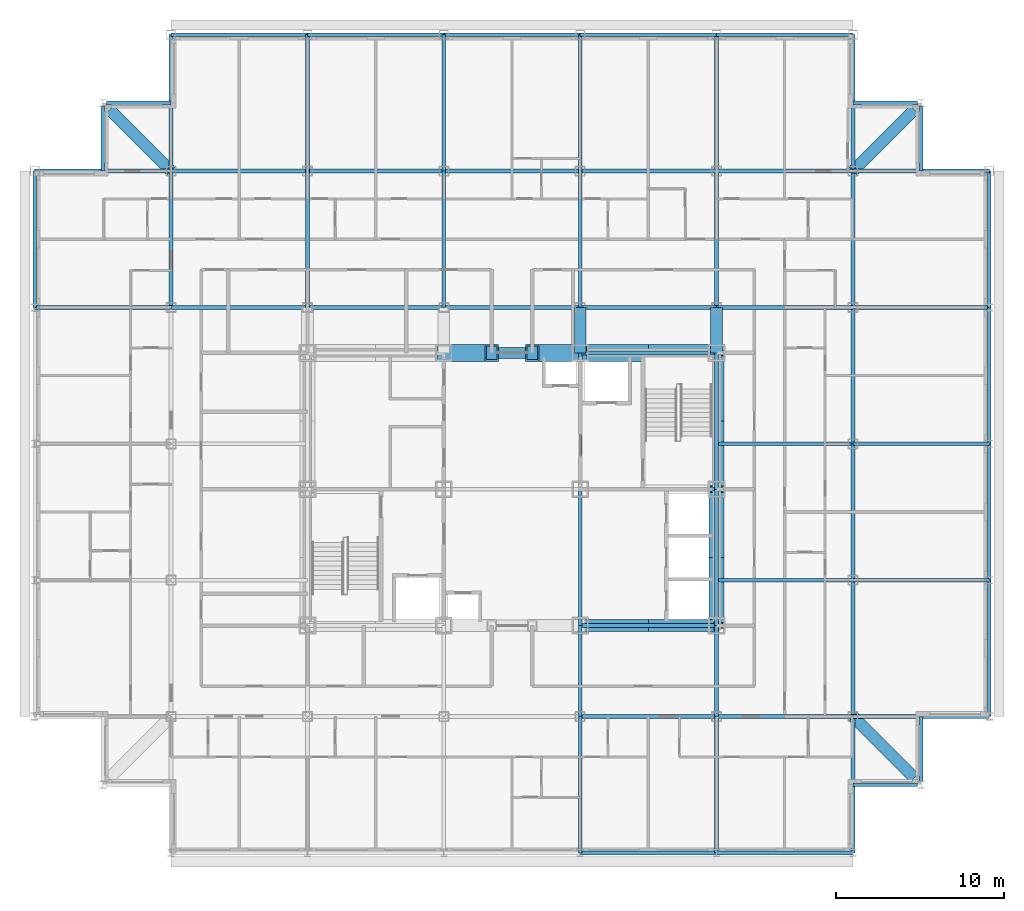
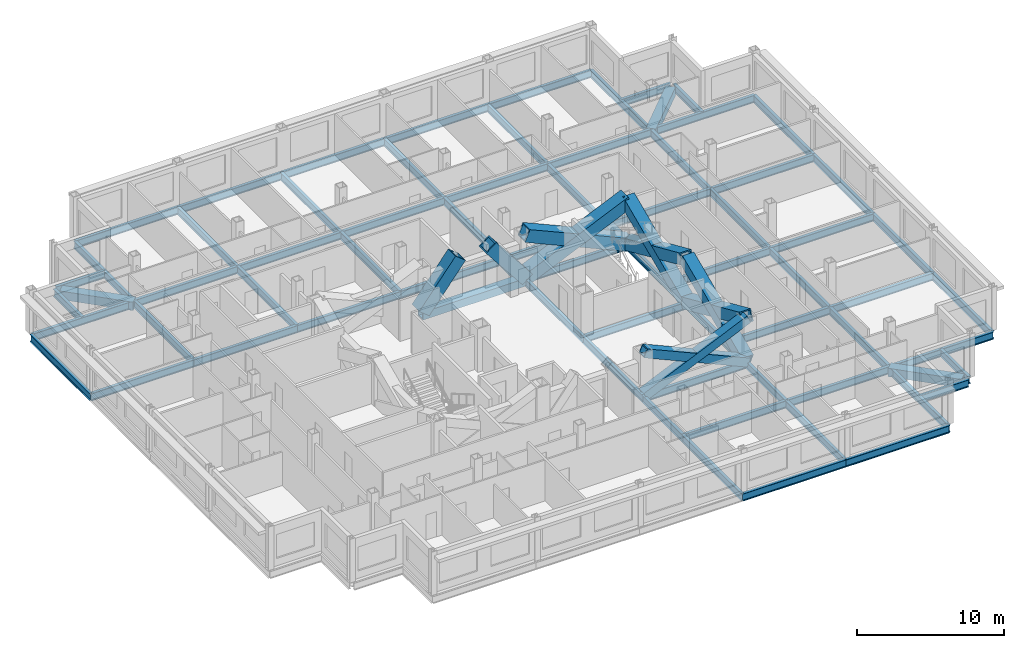
# One storey, part 2 of 12: 72 beams, 10 members.
"""IFC4 building model written with IfcOpenShell, lengths in metres."""

from ifc_helpers import new_model, si_unit, direction, frame, origin, origin_2d, place, context, subcontext, project, spatial, hollow_rectangle, i_section, extrude, material, material_profile, profile_set, type_object, element, save


model = new_model("IFC4")

# Units and contexts
model_context = context("Model", 3, precision=1e-05, world=origin(), true_north=direction((0.0, 1.0)))
body_context = subcontext(model_context, "Body", "Model", "MODEL_VIEW")
ifc_project = project(units=[si_unit("LENGTHUNIT", "METRE"), si_unit("AREAUNIT", "SQUARE_METRE"), si_unit("VOLUMEUNIT", "CUBIC_METRE"), si_unit("PLANEANGLEUNIT", "RADIAN"), si_unit("MASSUNIT", "GRAM", prefix="KILO")], contexts=[model_context])

# Site, building, storey
site_placement = place(None, origin())
site = spatial("IfcSite", under=ifc_project, at=site_placement, CompositionType="ELEMENT")
building_placement = place(site_placement, origin())
building = spatial("IfcBuilding", under=site, at=building_placement, Name="Kopane Lantern Tower", CompositionType="ELEMENT")
storey_placement = place(building_placement, frame((0.0, 0.0, 206.39990234375)))
storey = spatial("IfcBuildingStorey", under=building, at=storey_placement, Name="L53", CompositionType="ELEMENT", Elevation=206.39990234375)

# Members
ifc_material_1 = material(Name="Steel S355JR", Category="steel")
ifc_material_profile_1 = material_profile(ifc_material_1, hollow_rectangle(XDim=1.0, YDim=1.0, WallThickness=0.10009765625, at=origin_2d()), Name="BOX 1000x1000x100")
ifc_profile_set_1 = profile_set([ifc_material_profile_1], Name="Steel S355JR")
member_type_1 = type_object("IfcMemberType", Name="BRACE BOX 1000x1000x100", PredefinedType="BRACE", material=ifc_profile_set_1)
for number, where, z_axis, x_axis, name in (
    (1, (24.300048828125, 40.5, -0.2099609375), (0.620672981644, 0.0, 0.784069544018), (0.0, 1.0, 0.0), "Core brace L53"),
    (2, (32.39990234375, 40.5, -0.2099609375), (-0.620672981644, 0.0, 0.784069544018), (0.0, -1.0, 0.0), "Core brace L53"),
):
    element("IfcMember", number, at=place(storey_placement, frame(where, z_axis=z_axis, x_axis=x_axis)), inside=storey, type_object=member_type_1, Name=name, PredefinedType="BRACE", context=body_context, shape_type="SweptSolid", body=[
        extrude(hollow_rectangle(XDim=1.0, YDim=1.0, WallThickness=0.10009765625, at=origin_2d()), origin(), (0.0, 0.0, 1.0), 4.591552734375),
    ])
for number, where, z_axis, x_axis, name in (
    (3, (32.39990234375, 40.5, -0.2099609375), (0.913809277049, 0.0, 0.40614357705), (0.0, 1.0, 0.0), "Core brace L53"),
    (4, (40.5, 40.5, -0.2099609375), (-0.913809277049, 0.0, 0.40614357705), (0.0, -1.0, 0.0), "Core brace L53"),
):
    element("IfcMember", number, at=place(storey_placement, frame(where, z_axis=z_axis, x_axis=x_axis)), inside=storey, type_object=member_type_1, Name=name, PredefinedType="BRACE", context=body_context, shape_type="SweptSolid", body=[
        extrude(hollow_rectangle(XDim=1.0, YDim=1.0, WallThickness=0.10009765625, at=origin_2d()), origin(), (0.0, 0.0, 1.0), 8.864013671875),
    ])
ifc_material_2 = material(Name="Steel S355JR", Category="steel")
ifc_material_profile_2 = material_profile(ifc_material_2, hollow_rectangle(XDim=0.699951171875, YDim=0.699951171875, WallThickness=0.06005859375, at=origin_2d()), Name="BOX 700x700x60")
ifc_profile_set_2 = profile_set([ifc_material_profile_2], Name="Steel S355JR")
member_type_2 = type_object("IfcMemberType", Name="BRACE BOX 700x700x60", PredefinedType="BRACE", material=ifc_profile_set_2)
for number, where, z_axis, x_axis, name in (
    (5, (32.39990234375, 24.300048828125, -0.2099609375), (0.913809277049, 0.0, 0.40614357705), (0.0, 1.0, 0.0), "Core brace L53"),
    (6, (40.5, 24.300048828125, -0.2099609375), (-0.913809277049, 0.0, 0.40614357705), (0.0, -1.0, 0.0), "Core brace L53"),
):
    element("IfcMember", number, at=place(storey_placement, frame(where, z_axis=z_axis, x_axis=x_axis)), inside=storey, type_object=member_type_2, Name=name, PredefinedType="BRACE", context=body_context, shape_type="SweptSolid", body=[
        extrude(hollow_rectangle(XDim=0.699951171875, YDim=0.699951171875, WallThickness=0.06005859375, at=origin_2d()), origin(), (0.0, 0.0, 1.0), 8.864013671875),
    ])
ifc_material_3 = material(Name="Steel S355JR", Category="steel")
ifc_material_profile_3 = material_profile(ifc_material_3, hollow_rectangle(XDim=0.89990234375, YDim=0.89990234375, WallThickness=0.090087890625, at=origin_2d()), Name="BOX 900x900x90")
ifc_profile_set_3 = profile_set([ifc_material_profile_3], Name="Steel S355JR")
member_type_3 = type_object("IfcMemberType", Name="BRACE BOX 900x900x90", PredefinedType="BRACE", material=ifc_profile_set_3)
for number, where, z_axis, x_axis, name in (
    (7, (40.5, 24.300048828125, -0.2099609375), (0.0, 0.91380473365, 0.406153799391), (-1.0, 0.0, 0.0), "Core brace L53"),
    (8, (40.5, 32.39990234375, -0.2099609375), (0.0, -0.91380473365, 0.406153799391), (1.0, 0.0, 0.0), "Core brace L53"),
):
    element("IfcMember", number, at=place(storey_placement, frame(where, z_axis=z_axis, x_axis=x_axis)), inside=storey, type_object=member_type_3, Name=name, PredefinedType="BRACE", context=body_context, shape_type="SweptSolid", body=[
        extrude(hollow_rectangle(XDim=0.89990234375, YDim=0.89990234375, WallThickness=0.090087890625, at=origin_2d()), origin(), (0.0, 0.0, 1.0), 8.86376953125),
    ])
for number, where, z_axis, x_axis, name in (
    (9, (40.5, 32.39990234375, -0.2099609375), (0.0, 0.913809277049, 0.40614357705), (-1.0, 0.0, 0.0), "Core brace L53"),
    (10, (40.5, 40.5, -0.2099609375), (0.0, -0.913809277049, 0.40614357705), (1.0, 0.0, 0.0), "Core brace L53"),
):
    element("IfcMember", number, at=place(storey_placement, frame(where, z_axis=z_axis, x_axis=x_axis)), inside=storey, type_object=member_type_3, Name=name, PredefinedType="BRACE", context=body_context, shape_type="SweptSolid", body=[
        extrude(hollow_rectangle(XDim=0.89990234375, YDim=0.89990234375, WallThickness=0.090087890625, at=origin_2d()), origin(), (0.0, 0.0, 1.0), 8.864013671875),
    ])

# Beams
ifc_material_4 = material(Name="Steel S355JR", Category="steel")
ifc_material_profile_4 = material_profile(ifc_material_4, i_section(OverallWidth=0.22900390625, OverallDepth=0.6123046875, WebThickness=0.011962890625, FlangeThickness=0.01953125, FilletRadius=0.0126953125, at=origin_2d()), Name="UB 610x229x125")
ifc_profile_set_4 = profile_set([ifc_material_profile_4], Name="Steel S355JR")
beam_type_1 = type_object("IfcBeamType", Name="CORE BEAM UB 610x229x125", PredefinedType="BEAM", material=ifc_profile_set_4)
beam_1_placement = place(storey_placement, frame((32.39990234375, 24.300048828125, -0.51611328125), z_axis=(0.0, 1.0, 0.0), x_axis=(-1.0, 0.0, 0.0)))
element("IfcBeam", 11, at=beam_1_placement, inside=storey, type_object=beam_type_1, Name="Core Beam L53", PredefinedType="BEAM", context=body_context, shape_type="SweptSolid", body=[
    extrude(i_section(OverallWidth=0.22900390625, OverallDepth=0.6123046875, WebThickness=0.011962890625, FlangeThickness=0.01953125, FilletRadius=0.0126953125, at=origin_2d()), origin(), (0.0, 0.0, 1.0), 8.099853515625),
])
for number, where, z_axis, x_axis, name in (
    (12, (32.39990234375, 32.39990234375, -0.51611328125), (0.0, 1.0, 0.0), (-1.0, 0.0, 0.0), "Core Beam L53"),
    (13, (32.39990234375, 32.39990234375, -0.51611328125), (1.0, 0.0, 0.0), (0.0, 1.0, 0.0), "Core Beam L53"),
):
    element("IfcBeam", number, at=place(storey_placement, frame(where, z_axis=z_axis, x_axis=x_axis)), inside=storey, type_object=beam_type_1, Name=name, PredefinedType="BEAM", context=body_context, shape_type="SweptSolid", body=[
        extrude(i_section(OverallWidth=0.22900390625, OverallDepth=0.6123046875, WebThickness=0.011962890625, FlangeThickness=0.01953125, FilletRadius=0.0126953125, at=origin_2d()), origin(), (0.0, 0.0, 1.0), 8.10009765625),
    ])
ifc_material_5 = material(Name="Steel S355JR", Category="steel")
ifc_material_profile_5 = material_profile(ifc_material_5, hollow_rectangle(XDim=0.699951171875, YDim=0.699951171875, WallThickness=0.06005859375, at=origin_2d()), Name="BOX 700x700x60")
ifc_profile_set_5 = profile_set([ifc_material_profile_5], Name="Steel S355JR")
beam_type_2 = type_object("IfcBeamType", Name="CORNER TIE BEAM BOX 700x700x60", PredefinedType="BEAM", material=ifc_profile_set_5)
for number, where, z_axis, x_axis, name in (
    (14, (4.447509765625, 54.952392578125, -0.559814453125), (0.70713041325, -0.707083148333, 0.0), (0.707083148333, 0.70713041325, 0.0), "Corner Tie Beam L53"),
    (15, (52.25244140625, 15.24755859375, -0.559814453125), (-0.707106781187, 0.707106781187, 0.0), (-0.707106781187, -0.707106781187, 0.0), "Corner Tie Beam L53"),
    (16, (52.25244140625, 54.952392578125, -0.559814453125), (-0.707106781187, -0.707106781187, 0.0), (0.707106781187, -0.707106781187, 0.0), "Corner Tie Beam L53"),
):
    element("IfcBeam", number, at=place(storey_placement, frame(where, z_axis=z_axis, x_axis=x_axis)), inside=storey, type_object=beam_type_2, Name=name, PredefinedType="BEAM", context=body_context, shape_type="SweptSolid", body=[
        extrude(hollow_rectangle(XDim=0.699951171875, YDim=0.699951171875, WallThickness=0.06005859375, at=origin_2d()), origin(), (0.0, 0.0, 1.0), 5.165283203125),
    ])
ifc_material_6 = material(Name="Steel S355JR", Category="steel")
ifc_material_profile_6 = material_profile(ifc_material_6, i_section(OverallWidth=0.22900390625, OverallDepth=0.6123046875, WebThickness=0.011962890625, FlangeThickness=0.01953125, FilletRadius=0.0126953125, at=origin_2d()), Name="UB 610x229x125")
ifc_profile_set_6 = profile_set([ifc_material_profile_6], Name="Steel S355JR")
beam_type_3 = type_object("IfcBeamType", Name="EDGE BEAM UB 610x229x125", PredefinedType="BEAM", material=ifc_profile_set_6)
beam_2_placement = place(storey_placement, frame((4.050048828125, 55.146484375, -0.51611328125), z_axis=(0.0, -1.0, 0.0), x_axis=(1.0, 0.0, 0.0)))
element("IfcBeam", 17, at=beam_2_placement, inside=storey, type_object=beam_type_3, Name="Edge Beam L53", PredefinedType="BEAM", context=body_context, shape_type="SweptSolid", body=[
    extrude(i_section(OverallWidth=0.22900390625, OverallDepth=0.6123046875, WebThickness=0.011962890625, FlangeThickness=0.01953125, FilletRadius=0.0126953125, at=origin_2d()), origin(), (0.0, 0.0, 1.0), 3.846435546875),
])
beam_3_placement = place(storey_placement, frame((4.25341796875, 55.35009765625, -0.51611328125), z_axis=(1.0, 0.0, 0.0), x_axis=(0.0, 1.0, 0.0)))
element("IfcBeam", 18, at=beam_3_placement, inside=storey, type_object=beam_type_3, Name="Edge Beam L53", PredefinedType="BEAM", context=body_context, shape_type="SweptSolid", body=[
    extrude(i_section(OverallWidth=0.22900390625, OverallDepth=0.6123046875, WebThickness=0.011962890625, FlangeThickness=0.01953125, FilletRadius=0.0126953125, at=origin_2d()), origin(), (0.0, 0.0, 1.0), 3.8466796875),
])
for number, where, z_axis, x_axis, name in (
    (19, (52.446533203125, 14.85009765625, -0.51611328125), (-1.0, 0.0, 0.0), (0.0, -1.0, 0.0), "Edge Beam L53"),
    (20, (52.446533203125, 55.35009765625, -0.51611328125), (-1.0, 0.0, 0.0), (0.0, -1.0, 0.0), "Edge Beam L53"),
    (21, (52.64990234375, 15.053466796875, -0.51611328125), (0.0, 1.0, 0.0), (-1.0, 0.0, 0.0), "Edge Beam L53"),
    (22, (52.64990234375, 55.146484375, -0.51611328125), (0.0, -1.0, 0.0), (1.0, 0.0, 0.0), "Edge Beam L53"),
):
    element("IfcBeam", number, at=place(storey_placement, frame(where, z_axis=z_axis, x_axis=x_axis)), inside=storey, type_object=beam_type_3, Name=name, PredefinedType="BEAM", context=body_context, shape_type="SweptSolid", body=[
        extrude(i_section(OverallWidth=0.22900390625, OverallDepth=0.6123046875, WebThickness=0.011962890625, FlangeThickness=0.01953125, FilletRadius=0.0126953125, at=origin_2d()), origin(), (0.0, 0.0, 1.0), 3.846435546875),
    ])
ifc_material_7 = material(Name="Steel S355JR", Category="steel")
ifc_material_profile_7 = material_profile(ifc_material_7, hollow_rectangle(XDim=0.699951171875, YDim=0.699951171875, WallThickness=0.06005859375, at=origin_2d()), Name="BOX 700x700x60")
ifc_profile_set_7 = profile_set([ifc_material_profile_7], Name="Steel S355JR")
beam_type_4 = type_object("IfcBeamType", Name="GIRDER BOX 700x700x60", PredefinedType="BEAM", material=ifc_profile_set_7)
for number, where, z_axis, x_axis, name in (
    (23, (32.39990234375, 40.5, -0.559814453125), (0.0, 1.0, 0.0), (-1.0, 0.0, 0.0), "Girder L53"),
    (24, (40.5, 40.5, -0.559814453125), (0.0, 1.0, 0.0), (-1.0, 0.0, 0.0), "Girder L53"),
):
    element("IfcBeam", number, at=place(storey_placement, frame(where, z_axis=z_axis, x_axis=x_axis)), inside=storey, type_object=beam_type_4, Name=name, PredefinedType="BEAM", context=body_context, shape_type="SweptSolid", body=[
        extrude(hollow_rectangle(XDim=0.699951171875, YDim=0.699951171875, WallThickness=0.06005859375, at=origin_2d()), origin(), (0.0, 0.0, 1.0), 2.699951171875),
    ])
ifc_material_8 = material(Name="Steel S355JR", Category="steel")
ifc_material_profile_8 = material_profile(ifc_material_8, i_section(OverallWidth=0.22900390625, OverallDepth=0.6123046875, WebThickness=0.011962890625, FlangeThickness=0.01953125, FilletRadius=0.0126953125, at=origin_2d()), Name="UB 610x229x125")
ifc_profile_set_8 = profile_set([ifc_material_profile_8], Name="Steel S355JR")
beam_type_5 = type_object("IfcBeamType", Name="GIRDER UB 610x229x125", PredefinedType="BEAM", material=ifc_profile_set_8)
for number, where, z_axis, x_axis, name in (
    (25, (0.0, 43.199951171875, -0.51611328125), (0.0, 1.0, 0.0), (-1.0, 0.0, 0.0), "Girder L53"),
    (26, (0.0, 43.199951171875, -0.51611328125), (1.0, 0.0, 0.0), (0.0, 1.0, 0.0), "Girder L53"),
    (27, (0.0, 51.300048828125, -0.51611328125), (1.0, 0.0, 0.0), (0.0, 1.0, 0.0), "Girder L53"),
    (28, (8.10009765625, 43.199951171875, -0.51611328125), (0.0, 1.0, 0.0), (-1.0, 0.0, 0.0), "Girder L53"),
):
    element("IfcBeam", number, at=place(storey_placement, frame(where, z_axis=z_axis, x_axis=x_axis)), inside=storey, type_object=beam_type_5, Name=name, PredefinedType="BEAM", context=body_context, shape_type="SweptSolid", body=[
        extrude(i_section(OverallWidth=0.22900390625, OverallDepth=0.6123046875, WebThickness=0.011962890625, FlangeThickness=0.01953125, FilletRadius=0.0126953125, at=origin_2d()), origin(), (0.0, 0.0, 1.0), 8.10009765625),
    ])
for number, where, z_axis, x_axis, name in (
    (29, (8.10009765625, 43.199951171875, -0.51611328125), (1.0, 0.0, 0.0), (0.0, 1.0, 0.0), "Girder L53"),
    (30, (8.10009765625, 51.300048828125, -0.51611328125), (0.0, 1.0, 0.0), (-1.0, 0.0, 0.0), "Girder L53"),
    (31, (8.10009765625, 51.300048828125, -0.51611328125), (1.0, 0.0, 0.0), (0.0, 1.0, 0.0), "Girder L53"),
    (32, (8.10009765625, 59.39990234375, -0.51611328125), (1.0, 0.0, 0.0), (0.0, 1.0, 0.0), "Girder L53"),
):
    element("IfcBeam", number, at=place(storey_placement, frame(where, z_axis=z_axis, x_axis=x_axis)), inside=storey, type_object=beam_type_5, Name=name, PredefinedType="BEAM", context=body_context, shape_type="SweptSolid", body=[
        extrude(i_section(OverallWidth=0.22900390625, OverallDepth=0.6123046875, WebThickness=0.011962890625, FlangeThickness=0.01953125, FilletRadius=0.0126953125, at=origin_2d()), origin(), (0.0, 0.0, 1.0), 8.099853515625),
    ])
for number, where, z_axis, x_axis, name in (
    (33, (16.199951171875, 43.199951171875, -0.51611328125), (0.0, 1.0, 0.0), (-1.0, 0.0, 0.0), "Girder L53"),
    (34, (16.199951171875, 43.199951171875, -0.51611328125), (1.0, 0.0, 0.0), (0.0, 1.0, 0.0), "Girder L53"),
):
    element("IfcBeam", number, at=place(storey_placement, frame(where, z_axis=z_axis, x_axis=x_axis)), inside=storey, type_object=beam_type_5, Name=name, PredefinedType="BEAM", context=body_context, shape_type="SweptSolid", body=[
        extrude(i_section(OverallWidth=0.22900390625, OverallDepth=0.6123046875, WebThickness=0.011962890625, FlangeThickness=0.01953125, FilletRadius=0.0126953125, at=origin_2d()), origin(), (0.0, 0.0, 1.0), 8.10009765625),
    ])
beam_4_placement = place(storey_placement, frame((16.199951171875, 51.300048828125, -0.51611328125), z_axis=(0.0, 1.0, 0.0), x_axis=(-1.0, 0.0, 0.0)))
element("IfcBeam", 35, at=beam_4_placement, inside=storey, type_object=beam_type_5, Name="Girder L53", PredefinedType="BEAM", context=body_context, shape_type="SweptSolid", body=[
    extrude(i_section(OverallWidth=0.22900390625, OverallDepth=0.6123046875, WebThickness=0.011962890625, FlangeThickness=0.01953125, FilletRadius=0.0126953125, at=origin_2d()), origin(), (0.0, 0.0, 1.0), 8.099853515625),
])
for number, where, z_axis, x_axis, name in (
    (36, (16.199951171875, 51.300048828125, -0.51611328125), (1.0, 0.0, 0.0), (0.0, 1.0, 0.0), "Girder L53"),
    (37, (16.199951171875, 59.39990234375, -0.51611328125), (1.0, 0.0, 0.0), (0.0, 1.0, 0.0), "Girder L53"),
    (38, (24.300048828125, 43.199951171875, -0.51611328125), (0.0, 1.0, 0.0), (-1.0, 0.0, 0.0), "Girder L53"),
):
    element("IfcBeam", number, at=place(storey_placement, frame(where, z_axis=z_axis, x_axis=x_axis)), inside=storey, type_object=beam_type_5, Name=name, PredefinedType="BEAM", context=body_context, shape_type="SweptSolid", body=[
        extrude(i_section(OverallWidth=0.22900390625, OverallDepth=0.6123046875, WebThickness=0.011962890625, FlangeThickness=0.01953125, FilletRadius=0.0126953125, at=origin_2d()), origin(), (0.0, 0.0, 1.0), 8.10009765625),
    ])
for number, where, z_axis, x_axis, name in (
    (39, (24.300048828125, 43.199951171875, -0.51611328125), (1.0, 0.0, 0.0), (0.0, 1.0, 0.0), "Girder L53"),
    (40, (24.300048828125, 51.300048828125, -0.51611328125), (0.0, 1.0, 0.0), (-1.0, 0.0, 0.0), "Girder L53"),
    (41, (24.300048828125, 51.300048828125, -0.51611328125), (1.0, 0.0, 0.0), (0.0, 1.0, 0.0), "Girder L53"),
    (42, (24.300048828125, 59.39990234375, -0.51611328125), (1.0, 0.0, 0.0), (0.0, 1.0, 0.0), "Girder L53"),
    (43, (32.39990234375, 10.800048828125, -0.51611328125), (0.0, 1.0, 0.0), (-1.0, 0.0, 0.0), "Girder L53"),
):
    element("IfcBeam", number, at=place(storey_placement, frame(where, z_axis=z_axis, x_axis=x_axis)), inside=storey, type_object=beam_type_5, Name=name, PredefinedType="BEAM", context=body_context, shape_type="SweptSolid", body=[
        extrude(i_section(OverallWidth=0.22900390625, OverallDepth=0.6123046875, WebThickness=0.011962890625, FlangeThickness=0.01953125, FilletRadius=0.0126953125, at=origin_2d()), origin(), (0.0, 0.0, 1.0), 8.099853515625),
    ])
beam_5_placement = place(storey_placement, frame((32.39990234375, 10.800048828125, -0.51611328125), z_axis=(1.0, 0.0, 0.0), x_axis=(0.0, 1.0, 0.0)))
element("IfcBeam", 44, at=beam_5_placement, inside=storey, type_object=beam_type_5, Name="Girder L53", PredefinedType="BEAM", context=body_context, shape_type="SweptSolid", body=[
    extrude(i_section(OverallWidth=0.22900390625, OverallDepth=0.6123046875, WebThickness=0.011962890625, FlangeThickness=0.01953125, FilletRadius=0.0126953125, at=origin_2d()), origin(), (0.0, 0.0, 1.0), 8.10009765625),
])
beam_6_placement = place(storey_placement, frame((32.39990234375, 18.89990234375, -0.51611328125), z_axis=(0.0, 1.0, 0.0), x_axis=(-1.0, 0.0, 0.0)))
element("IfcBeam", 45, at=beam_6_placement, inside=storey, type_object=beam_type_5, Name="Girder L53", PredefinedType="BEAM", context=body_context, shape_type="SweptSolid", body=[
    extrude(i_section(OverallWidth=0.22900390625, OverallDepth=0.6123046875, WebThickness=0.011962890625, FlangeThickness=0.01953125, FilletRadius=0.0126953125, at=origin_2d()), origin(), (0.0, 0.0, 1.0), 5.400146484375),
])
for number, where, z_axis, x_axis, name in (
    (46, (32.39990234375, 18.89990234375, -0.51611328125), (1.0, 0.0, 0.0), (0.0, 1.0, 0.0), "Girder L53"),
    (47, (32.39990234375, 24.300048828125, -0.51611328125), (1.0, 0.0, 0.0), (0.0, 1.0, 0.0), "Girder L53"),
    (48, (32.39990234375, 40.5, -0.51611328125), (1.0, 0.0, 0.0), (0.0, 1.0, 0.0), "Girder L53"),
    (49, (32.39990234375, 43.199951171875, -0.51611328125), (0.0, 1.0, 0.0), (-1.0, 0.0, 0.0), "Girder L53"),
    (50, (32.39990234375, 43.199951171875, -0.51611328125), (1.0, 0.0, 0.0), (0.0, 1.0, 0.0), "Girder L53"),
):
    element("IfcBeam", number, at=place(storey_placement, frame(where, z_axis=z_axis, x_axis=x_axis)), inside=storey, type_object=beam_type_5, Name=name, PredefinedType="BEAM", context=body_context, shape_type="SweptSolid", body=[
        extrude(i_section(OverallWidth=0.22900390625, OverallDepth=0.6123046875, WebThickness=0.011962890625, FlangeThickness=0.01953125, FilletRadius=0.0126953125, at=origin_2d()), origin(), (0.0, 0.0, 1.0), 8.10009765625),
    ])
beam_7_placement = place(storey_placement, frame((32.39990234375, 51.300048828125, -0.51611328125), z_axis=(0.0, 1.0, 0.0), x_axis=(-1.0, 0.0, 0.0)))
element("IfcBeam", 51, at=beam_7_placement, inside=storey, type_object=beam_type_5, Name="Girder L53", PredefinedType="BEAM", context=body_context, shape_type="SweptSolid", body=[
    extrude(i_section(OverallWidth=0.22900390625, OverallDepth=0.6123046875, WebThickness=0.011962890625, FlangeThickness=0.01953125, FilletRadius=0.0126953125, at=origin_2d()), origin(), (0.0, 0.0, 1.0), 8.099853515625),
])
for number, where, z_axis, x_axis, name in (
    (52, (32.39990234375, 51.300048828125, -0.51611328125), (1.0, 0.0, 0.0), (0.0, 1.0, 0.0), "Girder L53"),
    (53, (32.39990234375, 59.39990234375, -0.51611328125), (1.0, 0.0, 0.0), (0.0, 1.0, 0.0), "Girder L53"),
):
    element("IfcBeam", number, at=place(storey_placement, frame(where, z_axis=z_axis, x_axis=x_axis)), inside=storey, type_object=beam_type_5, Name=name, PredefinedType="BEAM", context=body_context, shape_type="SweptSolid", body=[
        extrude(i_section(OverallWidth=0.22900390625, OverallDepth=0.6123046875, WebThickness=0.011962890625, FlangeThickness=0.01953125, FilletRadius=0.0126953125, at=origin_2d()), origin(), (0.0, 0.0, 1.0), 8.10009765625),
    ])
beam_8_placement = place(storey_placement, frame((40.5, 10.800048828125, -0.51611328125), z_axis=(0.0, 1.0, 0.0), x_axis=(-1.0, 0.0, 0.0)))
element("IfcBeam", 54, at=beam_8_placement, inside=storey, type_object=beam_type_5, Name="Girder L53", PredefinedType="BEAM", context=body_context, shape_type="SweptSolid", body=[
    extrude(i_section(OverallWidth=0.22900390625, OverallDepth=0.6123046875, WebThickness=0.011962890625, FlangeThickness=0.01953125, FilletRadius=0.0126953125, at=origin_2d()), origin(), (0.0, 0.0, 1.0), 8.099853515625),
])
beam_9_placement = place(storey_placement, frame((40.5, 10.800048828125, -0.51611328125), z_axis=(1.0, 0.0, 0.0), x_axis=(0.0, 1.0, 0.0)))
element("IfcBeam", 55, at=beam_9_placement, inside=storey, type_object=beam_type_5, Name="Girder L53", PredefinedType="BEAM", context=body_context, shape_type="SweptSolid", body=[
    extrude(i_section(OverallWidth=0.22900390625, OverallDepth=0.6123046875, WebThickness=0.011962890625, FlangeThickness=0.01953125, FilletRadius=0.0126953125, at=origin_2d()), origin(), (0.0, 0.0, 1.0), 8.10009765625),
])
beam_10_placement = place(storey_placement, frame((40.5, 18.89990234375, -0.51611328125), z_axis=(0.0, 1.0, 0.0), x_axis=(-1.0, 0.0, 0.0)))
element("IfcBeam", 56, at=beam_10_placement, inside=storey, type_object=beam_type_5, Name="Girder L53", PredefinedType="BEAM", context=body_context, shape_type="SweptSolid", body=[
    extrude(i_section(OverallWidth=0.22900390625, OverallDepth=0.6123046875, WebThickness=0.011962890625, FlangeThickness=0.01953125, FilletRadius=0.0126953125, at=origin_2d()), origin(), (0.0, 0.0, 1.0), 5.400146484375),
])
beam_11_placement = place(storey_placement, frame((40.5, 18.89990234375, -0.51611328125), z_axis=(1.0, 0.0, 0.0), x_axis=(0.0, 1.0, 0.0)))
element("IfcBeam", 57, at=beam_11_placement, inside=storey, type_object=beam_type_5, Name="Girder L53", PredefinedType="BEAM", context=body_context, shape_type="SweptSolid", body=[
    extrude(i_section(OverallWidth=0.22900390625, OverallDepth=0.6123046875, WebThickness=0.011962890625, FlangeThickness=0.01953125, FilletRadius=0.0126953125, at=origin_2d()), origin(), (0.0, 0.0, 1.0), 8.10009765625),
])
beam_12_placement = place(storey_placement, frame((40.5, 24.300048828125, -0.51611328125), z_axis=(0.0, 1.0, 0.0), x_axis=(-1.0, 0.0, 0.0)))
element("IfcBeam", 58, at=beam_12_placement, inside=storey, type_object=beam_type_5, Name="Girder L53", PredefinedType="BEAM", context=body_context, shape_type="SweptSolid", body=[
    extrude(i_section(OverallWidth=0.22900390625, OverallDepth=0.6123046875, WebThickness=0.011962890625, FlangeThickness=0.01953125, FilletRadius=0.0126953125, at=origin_2d()), origin(), (0.0, 0.0, 1.0), 8.099853515625),
])
for number, where, z_axis, x_axis, name in (
    (59, (40.5, 27.0, -0.51611328125), (1.0, 0.0, 0.0), (0.0, 1.0, 0.0), "Girder L53"),
    (60, (40.5, 32.39990234375, -0.51611328125), (0.0, 1.0, 0.0), (-1.0, 0.0, 0.0), "Girder L53"),
    (61, (40.5, 35.10009765625, -0.51611328125), (1.0, 0.0, 0.0), (0.0, 1.0, 0.0), "Girder L53"),
    (62, (40.5, 43.199951171875, -0.51611328125), (0.0, 1.0, 0.0), (-1.0, 0.0, 0.0), "Girder L53"),
    (63, (40.5, 43.199951171875, -0.51611328125), (1.0, 0.0, 0.0), (0.0, 1.0, 0.0), "Girder L53"),
):
    element("IfcBeam", number, at=place(storey_placement, frame(where, z_axis=z_axis, x_axis=x_axis)), inside=storey, type_object=beam_type_5, Name=name, PredefinedType="BEAM", context=body_context, shape_type="SweptSolid", body=[
        extrude(i_section(OverallWidth=0.22900390625, OverallDepth=0.6123046875, WebThickness=0.011962890625, FlangeThickness=0.01953125, FilletRadius=0.0126953125, at=origin_2d()), origin(), (0.0, 0.0, 1.0), 8.10009765625),
    ])
beam_13_placement = place(storey_placement, frame((40.5, 51.300048828125, -0.51611328125), z_axis=(0.0, 1.0, 0.0), x_axis=(-1.0, 0.0, 0.0)))
element("IfcBeam", 64, at=beam_13_placement, inside=storey, type_object=beam_type_5, Name="Girder L53", PredefinedType="BEAM", context=body_context, shape_type="SweptSolid", body=[
    extrude(i_section(OverallWidth=0.22900390625, OverallDepth=0.6123046875, WebThickness=0.011962890625, FlangeThickness=0.01953125, FilletRadius=0.0126953125, at=origin_2d()), origin(), (0.0, 0.0, 1.0), 8.099853515625),
])
for number, where, z_axis, x_axis, name in (
    (65, (40.5, 51.300048828125, -0.51611328125), (1.0, 0.0, 0.0), (0.0, 1.0, 0.0), "Girder L53"),
    (66, (40.5, 59.39990234375, -0.51611328125), (1.0, 0.0, 0.0), (0.0, 1.0, 0.0), "Girder L53"),
):
    element("IfcBeam", number, at=place(storey_placement, frame(where, z_axis=z_axis, x_axis=x_axis)), inside=storey, type_object=beam_type_5, Name=name, PredefinedType="BEAM", context=body_context, shape_type="SweptSolid", body=[
        extrude(i_section(OverallWidth=0.22900390625, OverallDepth=0.6123046875, WebThickness=0.011962890625, FlangeThickness=0.01953125, FilletRadius=0.0126953125, at=origin_2d()), origin(), (0.0, 0.0, 1.0), 8.10009765625),
    ])
beam_14_placement = place(storey_placement, frame((48.60009765625, 10.800048828125, -0.51611328125), z_axis=(0.0, 1.0, 0.0), x_axis=(-1.0, 0.0, 0.0)))
element("IfcBeam", 67, at=beam_14_placement, inside=storey, type_object=beam_type_5, Name="Girder L53", PredefinedType="BEAM", context=body_context, shape_type="SweptSolid", body=[
    extrude(i_section(OverallWidth=0.22900390625, OverallDepth=0.6123046875, WebThickness=0.011962890625, FlangeThickness=0.01953125, FilletRadius=0.0126953125, at=origin_2d()), origin(), (0.0, 0.0, 1.0), 8.099853515625),
])
beam_15_placement = place(storey_placement, frame((48.60009765625, 18.89990234375, -0.51611328125), z_axis=(0.0, 1.0, 0.0), x_axis=(-1.0, 0.0, 0.0)))
element("IfcBeam", 68, at=beam_15_placement, inside=storey, type_object=beam_type_5, Name="Girder L53", PredefinedType="BEAM", context=body_context, shape_type="SweptSolid", body=[
    extrude(i_section(OverallWidth=0.22900390625, OverallDepth=0.6123046875, WebThickness=0.011962890625, FlangeThickness=0.01953125, FilletRadius=0.0126953125, at=origin_2d()), origin(), (0.0, 0.0, 1.0), 8.10009765625),
])
beam_16_placement = place(storey_placement, frame((48.60009765625, 18.89990234375, -0.51611328125), z_axis=(1.0, 0.0, 0.0), x_axis=(0.0, 1.0, 0.0)))
element("IfcBeam", 69, at=beam_16_placement, inside=storey, type_object=beam_type_5, Name="Girder L53", PredefinedType="BEAM", context=body_context, shape_type="SweptSolid", body=[
    extrude(i_section(OverallWidth=0.22900390625, OverallDepth=0.6123046875, WebThickness=0.011962890625, FlangeThickness=0.01953125, FilletRadius=0.0126953125, at=origin_2d()), origin(), (0.0, 0.0, 1.0), 8.099853515625),
])
beam_17_placement = place(storey_placement, frame((48.60009765625, 27.0, -0.51611328125), z_axis=(0.0, 1.0, 0.0), x_axis=(-1.0, 0.0, 0.0)))
element("IfcBeam", 70, at=beam_17_placement, inside=storey, type_object=beam_type_5, Name="Girder L53", PredefinedType="BEAM", context=body_context, shape_type="SweptSolid", body=[
    extrude(i_section(OverallWidth=0.22900390625, OverallDepth=0.6123046875, WebThickness=0.011962890625, FlangeThickness=0.01953125, FilletRadius=0.0126953125, at=origin_2d()), origin(), (0.0, 0.0, 1.0), 8.10009765625),
])
for number, where, z_axis, x_axis, name in (
    (71, (48.60009765625, 27.0, -0.51611328125), (1.0, 0.0, 0.0), (0.0, 1.0, 0.0), "Girder L53"),
    (72, (48.60009765625, 35.10009765625, -0.51611328125), (0.0, 1.0, 0.0), (-1.0, 0.0, 0.0), "Girder L53"),
    (73, (48.60009765625, 35.10009765625, -0.51611328125), (1.0, 0.0, 0.0), (0.0, 1.0, 0.0), "Girder L53"),
):
    element("IfcBeam", number, at=place(storey_placement, frame(where, z_axis=z_axis, x_axis=x_axis)), inside=storey, type_object=beam_type_5, Name=name, PredefinedType="BEAM", context=body_context, shape_type="SweptSolid", body=[
        extrude(i_section(OverallWidth=0.22900390625, OverallDepth=0.6123046875, WebThickness=0.011962890625, FlangeThickness=0.01953125, FilletRadius=0.0126953125, at=origin_2d()), origin(), (0.0, 0.0, 1.0), 8.099853515625),
    ])
beam_18_placement = place(storey_placement, frame((48.60009765625, 43.199951171875, -0.51611328125), z_axis=(0.0, 1.0, 0.0), x_axis=(-1.0, 0.0, 0.0)))
element("IfcBeam", 74, at=beam_18_placement, inside=storey, type_object=beam_type_5, Name="Girder L53", PredefinedType="BEAM", context=body_context, shape_type="SweptSolid", body=[
    extrude(i_section(OverallWidth=0.22900390625, OverallDepth=0.6123046875, WebThickness=0.011962890625, FlangeThickness=0.01953125, FilletRadius=0.0126953125, at=origin_2d()), origin(), (0.0, 0.0, 1.0), 8.10009765625),
])
for number, where, z_axis, x_axis, name in (
    (75, (48.60009765625, 43.199951171875, -0.51611328125), (1.0, 0.0, 0.0), (0.0, 1.0, 0.0), "Girder L53"),
    (76, (48.60009765625, 51.300048828125, -0.51611328125), (0.0, 1.0, 0.0), (-1.0, 0.0, 0.0), "Girder L53"),
    (77, (48.60009765625, 51.300048828125, -0.51611328125), (1.0, 0.0, 0.0), (0.0, 1.0, 0.0), "Girder L53"),
):
    element("IfcBeam", number, at=place(storey_placement, frame(where, z_axis=z_axis, x_axis=x_axis)), inside=storey, type_object=beam_type_5, Name=name, PredefinedType="BEAM", context=body_context, shape_type="SweptSolid", body=[
        extrude(i_section(OverallWidth=0.22900390625, OverallDepth=0.6123046875, WebThickness=0.011962890625, FlangeThickness=0.01953125, FilletRadius=0.0126953125, at=origin_2d()), origin(), (0.0, 0.0, 1.0), 8.099853515625),
    ])
for number, where, z_axis, x_axis, name in (
    (78, (56.699951171875, 18.89990234375, -0.51611328125), (0.0, 1.0, 0.0), (-1.0, 0.0, 0.0), "Girder L53"),
    (79, (56.699951171875, 27.0, -0.51611328125), (0.0, 1.0, 0.0), (-1.0, 0.0, 0.0), "Girder L53"),
):
    element("IfcBeam", number, at=place(storey_placement, frame(where, z_axis=z_axis, x_axis=x_axis)), inside=storey, type_object=beam_type_5, Name=name, PredefinedType="BEAM", context=body_context, shape_type="SweptSolid", body=[
        extrude(i_section(OverallWidth=0.22900390625, OverallDepth=0.6123046875, WebThickness=0.011962890625, FlangeThickness=0.01953125, FilletRadius=0.0126953125, at=origin_2d()), origin(), (0.0, 0.0, 1.0), 8.10009765625),
    ])
beam_19_placement = place(storey_placement, frame((56.699951171875, 35.10009765625, -0.51611328125), z_axis=(0.0, 1.0, 0.0), x_axis=(-1.0, 0.0, 0.0)))
element("IfcBeam", 80, at=beam_19_placement, inside=storey, type_object=beam_type_5, Name="Girder L53", PredefinedType="BEAM", context=body_context, shape_type="SweptSolid", body=[
    extrude(i_section(OverallWidth=0.22900390625, OverallDepth=0.6123046875, WebThickness=0.011962890625, FlangeThickness=0.01953125, FilletRadius=0.0126953125, at=origin_2d()), origin(), (0.0, 0.0, 1.0), 8.099853515625),
])
beam_20_placement = place(storey_placement, frame((56.699951171875, 43.199951171875, -0.51611328125), z_axis=(0.0, 1.0, 0.0), x_axis=(-1.0, 0.0, 0.0)))
element("IfcBeam", 81, at=beam_20_placement, inside=storey, type_object=beam_type_5, Name="Girder L53", PredefinedType="BEAM", context=body_context, shape_type="SweptSolid", body=[
    extrude(i_section(OverallWidth=0.22900390625, OverallDepth=0.6123046875, WebThickness=0.011962890625, FlangeThickness=0.01953125, FilletRadius=0.0126953125, at=origin_2d()), origin(), (0.0, 0.0, 1.0), 8.10009765625),
])
ifc_material_9 = material(Name="Steel S355JR", Category="steel")
ifc_material_profile_9 = material_profile(ifc_material_9, hollow_rectangle(XDim=0.64990234375, YDim=0.64990234375, WallThickness=0.070068359375, at=origin_2d()), Name="BOX 650x650x70")
ifc_profile_set_9 = profile_set([ifc_material_profile_9], Name="Steel S355JR")
beam_type_6 = type_object("IfcBeamType", Name="LINK BEAM BOX 650x650x70", PredefinedType="BEAM", material=ifc_profile_set_9)
beam_21_placement = place(storey_placement, frame((24.300048828125, 40.5, -0.534912109375), z_axis=(1.0, 0.0, 0.0), x_axis=(0.0, 1.0, 0.0)))
element("IfcBeam", 82, at=beam_21_placement, inside=storey, type_object=beam_type_6, Name="Link Beam L53", PredefinedType="BEAM", context=body_context, shape_type="SweptSolid", body=[
    extrude(hollow_rectangle(XDim=0.64990234375, YDim=0.64990234375, WallThickness=0.070068359375, at=origin_2d()), origin(), (0.0, 0.0, 1.0), 8.099853515625),
])

save(model, "model.ifc")
